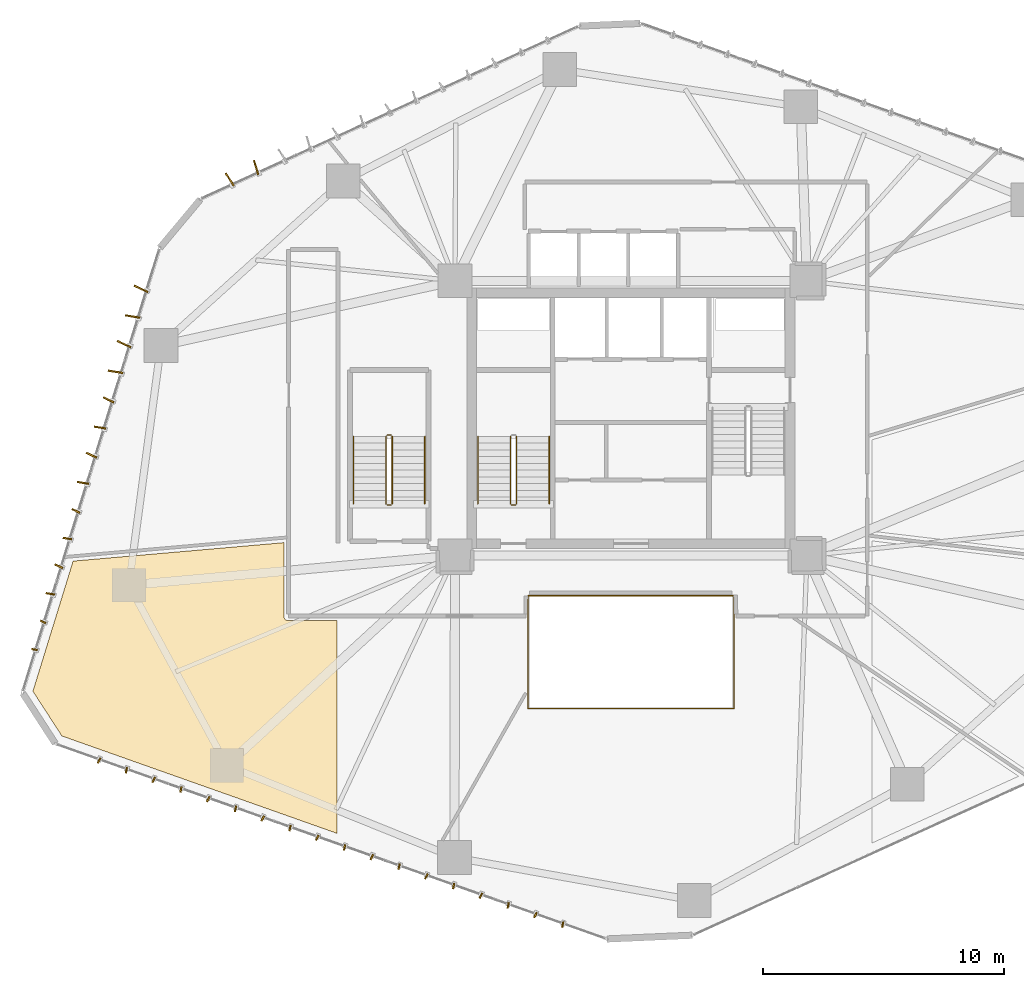
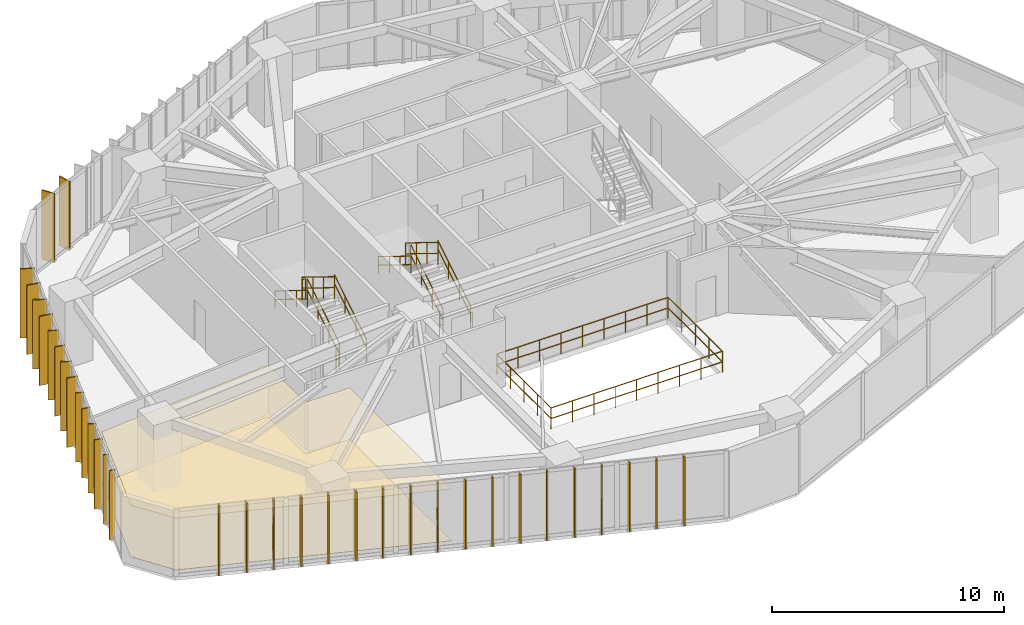
# One storey, part 22 of 24: 34 shading devices, 15 railings, 2 coverings.
"""IFC4 building model written with IfcOpenShell, lengths in metres."""

from ifc_helpers import new_model, si_unit, direction, frame, origin, origin_2d, place, context, subcontext, project, spatial, polyline, rectangle, circle, outline, extrude, source, transform, mapped, material, layer, layer_set, type_object, type_shapes, element, save


model = new_model("IFC4")

# Units and contexts
model_context = context("Model", 3, precision=1e-05, world=origin(), true_north=direction((0.0, 1.0)))
body_context = subcontext(model_context, "Body", "Model", "MODEL_VIEW")
ifc_project = project(units=[si_unit("LENGTHUNIT", "METRE"), si_unit("AREAUNIT", "SQUARE_METRE"), si_unit("VOLUMEUNIT", "CUBIC_METRE"), si_unit("PLANEANGLEUNIT", "RADIAN"), si_unit("MASSUNIT", "GRAM", prefix="KILO")], contexts=[model_context])

# Site, building, storey
site_placement = place(None, origin())
site = spatial("IfcSite", under=ifc_project, at=site_placement, CompositionType="ELEMENT")
building_placement = place(site_placement, origin())
building = spatial("IfcBuilding", under=site, at=building_placement, Name="Talar Marvaseh", CompositionType="ELEMENT")
storey_placement = place(building_placement, frame((0.0, 0.0, 31.60009765625)))
storey = spatial("IfcBuildingStorey", under=building, at=storey_placement, Name="L07", CompositionType="ELEMENT", Elevation=31.60009765625)

# Railings
ifc_material_1 = material(Name="Stainless Steel Grade 316", Category="steel")
railing_type_1 = type_object("IfcRailingType", Name="Brushed Stainless Wall Pitch Handrail 900", PredefinedType="HANDRAIL", material=ifc_material_1)
railing_1_placement = place(storey_placement, frame((22.610107421875, 27.64990234375, 0.172607421875)))
element("IfcRailing", 1, at=railing_1_placement, inside=storey, type_object=railing_type_1, Name="L07 ST-1 stair handrail 1", PredefinedType="HANDRAIL", context=body_context, shape_type="SweptSolid", body=[
    extrude(circle(Radius=0.02392578125, at=origin_2d()), frame((0.0, 0.0, 0.8759765625), z_axis=(0.0, 0.851089632645, 0.525020415988), x_axis=(-1.0, 0.0, 0.0)), (0.0, 0.0, 1.0), 3.2900390625),
    extrude(circle(Radius=0.02392578125, at=origin_2d()), frame((0.0, 0.0, 0.42578125), z_axis=(0.0, 0.851089632645, 0.525020415988), x_axis=(-1.0, 0.0, 0.0)), (0.0, 0.0, 1.0), 3.2900390625),
    extrude(circle(Radius=0.02099609375, at=origin_2d()), origin(), (0.0, 0.0, 1.0), 0.851806640625),
    extrude(circle(Radius=0.02099609375, at=origin_2d()), frame((0.0, 0.933349609375, 0.57568359375)), (0.0, 0.0, 1.0), 0.851806640625),
    extrude(circle(Radius=0.02099609375, at=origin_2d()), frame((0.0, 1.86669921875, 1.151611328125)), (0.0, 0.0, 1.0), 0.851806640625),
    extrude(circle(Radius=0.02099609375, at=origin_2d()), frame((0.0, 2.800048828125, 1.727294921875)), (0.0, 0.0, 1.0), 0.851806640625),
])
railing_2_placement = place(storey_placement, frame((19.64990234375, 30.449951171875, 2.072509765625)))
element("IfcRailing", 2, at=railing_2_placement, inside=storey, type_object=railing_type_1, Name="L07 ST-1 stair handrail 2", PredefinedType="HANDRAIL", context=body_context, shape_type="SweptSolid", body=[
    extrude(circle(Radius=0.02392578125, at=origin_2d()), frame((0.0, 0.0, 0.8759765625), z_axis=(0.0, -0.851089632645, 0.525020415988), x_axis=(1.0, 0.0, 0.0)), (0.0, 0.0, 1.0), 3.2900390625),
    extrude(circle(Radius=0.02392578125, at=origin_2d()), frame((0.0, 0.0, 0.42578125), z_axis=(0.0, -0.851089632645, 0.525020415988), x_axis=(1.0, 0.0, 0.0)), (0.0, 0.0, 1.0), 3.2900390625),
    extrude(circle(Radius=0.02099609375, at=origin_2d()), origin(), (0.0, 0.0, 1.0), 0.851806640625),
    extrude(circle(Radius=0.02099609375, at=origin_2d()), frame((0.0, -0.933349609375, 0.57568359375)), (0.0, 0.0, 1.0), 0.851806640625),
    extrude(circle(Radius=0.02099609375, at=origin_2d()), frame((0.0, -1.86669921875, 1.151611328125)), (0.0, 0.0, 1.0), 0.851806640625),
    extrude(circle(Radius=0.02099609375, at=origin_2d()), frame((0.0, -2.800048828125, 1.727294921875)), (0.0, 0.0, 1.0), 0.851806640625),
])
railing_3_placement = place(storey_placement, frame((17.449951171875, 27.64990234375, 0.172607421875)))
element("IfcRailing", 3, at=railing_3_placement, inside=storey, type_object=railing_type_1, Name="L07 ST-3 stair handrail 1", PredefinedType="HANDRAIL", context=body_context, shape_type="SweptSolid", body=[
    extrude(circle(Radius=0.02392578125, at=origin_2d()), frame((0.0, 0.0, 0.8759765625), z_axis=(0.0, 0.851089632645, 0.525020415988), x_axis=(-1.0, 0.0, 0.0)), (0.0, 0.0, 1.0), 3.2900390625),
    extrude(circle(Radius=0.02392578125, at=origin_2d()), frame((0.0, 0.0, 0.42578125), z_axis=(0.0, 0.851089632645, 0.525020415988), x_axis=(-1.0, 0.0, 0.0)), (0.0, 0.0, 1.0), 3.2900390625),
    extrude(circle(Radius=0.02099609375, at=origin_2d()), origin(), (0.0, 0.0, 1.0), 0.851806640625),
    extrude(circle(Radius=0.02099609375, at=origin_2d()), frame((0.0, 0.933349609375, 0.57568359375)), (0.0, 0.0, 1.0), 0.851806640625),
    extrude(circle(Radius=0.02099609375, at=origin_2d()), frame((0.0, 1.86669921875, 1.151611328125)), (0.0, 0.0, 1.0), 0.851806640625),
    extrude(circle(Radius=0.02099609375, at=origin_2d()), frame((0.0, 2.800048828125, 1.727294921875)), (0.0, 0.0, 1.0), 0.851806640625),
])
railing_4_placement = place(storey_placement, frame((14.489990234375, 30.449951171875, 2.072509765625)))
element("IfcRailing", 4, at=railing_4_placement, inside=storey, type_object=railing_type_1, Name="L07 ST-3 stair handrail 2", PredefinedType="HANDRAIL", context=body_context, shape_type="SweptSolid", body=[
    extrude(circle(Radius=0.02392578125, at=origin_2d()), frame((0.0, 0.0, 0.8759765625), z_axis=(0.0, -0.851089632645, 0.525020415988), x_axis=(1.0, 0.0, 0.0)), (0.0, 0.0, 1.0), 3.2900390625),
    extrude(circle(Radius=0.02392578125, at=origin_2d()), frame((0.0, 0.0, 0.42578125), z_axis=(0.0, -0.851089632645, 0.525020415988), x_axis=(1.0, 0.0, 0.0)), (0.0, 0.0, 1.0), 3.2900390625),
    extrude(circle(Radius=0.02099609375, at=origin_2d()), origin(), (0.0, 0.0, 1.0), 0.851806640625),
    extrude(circle(Radius=0.02099609375, at=origin_2d()), frame((0.0, -0.933349609375, 0.57568359375)), (0.0, 0.0, 1.0), 0.851806640625),
    extrude(circle(Radius=0.02099609375, at=origin_2d()), frame((0.0, -1.86669921875, 1.151611328125)), (0.0, 0.0, 1.0), 0.851806640625),
    extrude(circle(Radius=0.02099609375, at=origin_2d()), frame((0.0, -2.800048828125, 1.727294921875)), (0.0, 0.0, 1.0), 0.851806640625),
])
ifc_material_2 = material(Name="Tempered Clear Glass", Category="glass")
railing_type_2 = type_object("IfcRailingType", Name="Interior Atrium Edge Balustrade 1120", PredefinedType="BALUSTRADE", material=ifc_material_2)
railing_5_placement = place(storey_placement, frame((21.729736328125, 19.16162109375, 0.0)))
element("IfcRailing", 5, at=railing_5_placement, inside=storey, type_object=railing_type_2, Name="L07 Internal Daylight Atrium Balustrade 1", PredefinedType="BALUSTRADE", context=body_context, shape_type="SweptSolid", body=[
    extrude(circle(Radius=0.02392578125, at=origin_2d()), frame((0.0, 0.0, 1.09619140625), z_axis=(1.0, 0.0, 0.0), x_axis=(0.0, 1.0, 0.0)), (0.0, 0.0, 1.0), 8.54052734375),
    extrude(circle(Radius=0.02392578125, at=origin_2d()), frame((0.0, 0.0, 0.5361328125), z_axis=(1.0, 0.0, 0.0), x_axis=(0.0, 1.0, 0.0)), (0.0, 0.0, 1.0), 8.54052734375),
    extrude(circle(Radius=0.02099609375, at=origin_2d()), origin(), (0.0, 0.0, 1.0), 1.072021484375),
    extrude(circle(Radius=0.02099609375, at=origin_2d()), frame((1.067626953125, 0.0, 0.0)), (0.0, 0.0, 1.0), 1.072021484375),
    extrude(circle(Radius=0.02099609375, at=origin_2d()), frame((2.13525390625, 0.0, 0.0)), (0.0, 0.0, 1.0), 1.072021484375),
    extrude(circle(Radius=0.02099609375, at=origin_2d()), frame((3.20263671875, 0.0, 0.0)), (0.0, 0.0, 1.0), 1.072021484375),
    extrude(circle(Radius=0.02099609375, at=origin_2d()), frame((4.270263671875, 0.0, 0.0)), (0.0, 0.0, 1.0), 1.072021484375),
    extrude(circle(Radius=0.02099609375, at=origin_2d()), frame((5.337890625, 0.0, 0.0)), (0.0, 0.0, 1.0), 1.072021484375),
    extrude(circle(Radius=0.02099609375, at=origin_2d()), frame((6.4052734375, 0.0, 0.0)), (0.0, 0.0, 1.0), 1.072021484375),
    extrude(circle(Radius=0.02099609375, at=origin_2d()), frame((7.472900390625, 0.0, 0.0)), (0.0, 0.0, 1.0), 1.072021484375),
    extrude(circle(Radius=0.02099609375, at=origin_2d()), frame((8.54052734375, 0.0, 0.0)), (0.0, 0.0, 1.0), 1.072021484375),
])
railing_6_placement = place(storey_placement, frame((30.270263671875, 19.16162109375, 0.0)))
element("IfcRailing", 6, at=railing_6_placement, inside=storey, type_object=railing_type_2, Name="L07 Internal Daylight Atrium Balustrade 2", PredefinedType="BALUSTRADE", context=body_context, shape_type="SweptSolid", body=[
    extrude(circle(Radius=0.02392578125, at=origin_2d()), frame((0.0, 0.0, 1.09619140625), z_axis=(0.0, 1.0, 0.0), x_axis=(-1.0, 0.0, 0.0)), (0.0, 0.0, 1.0), 4.6767578125),
    extrude(circle(Radius=0.02392578125, at=origin_2d()), frame((0.0, 0.0, 0.5361328125), z_axis=(0.0, 1.0, 0.0), x_axis=(-1.0, 0.0, 0.0)), (0.0, 0.0, 1.0), 4.6767578125),
    extrude(circle(Radius=0.02099609375, at=origin_2d()), origin(), (0.0, 0.0, 1.0), 1.072021484375),
    extrude(circle(Radius=0.02099609375, at=origin_2d()), frame((0.0, 1.169189453125, 0.0)), (0.0, 0.0, 1.0), 1.072021484375),
    extrude(circle(Radius=0.02099609375, at=origin_2d()), frame((0.0, 2.33837890625, 0.0)), (0.0, 0.0, 1.0), 1.072021484375),
    extrude(circle(Radius=0.02099609375, at=origin_2d()), frame((0.0, 3.507568359375, 0.0)), (0.0, 0.0, 1.0), 1.072021484375),
    extrude(circle(Radius=0.02099609375, at=origin_2d()), frame((0.0, 4.6767578125, 0.0)), (0.0, 0.0, 1.0), 1.072021484375),
])
railing_7_placement = place(storey_placement, frame((30.270263671875, 23.83837890625, 0.0)))
element("IfcRailing", 7, at=railing_7_placement, inside=storey, type_object=railing_type_2, Name="L07 Internal Daylight Atrium Balustrade 3", PredefinedType="BALUSTRADE", context=body_context, shape_type="SweptSolid", body=[
    extrude(circle(Radius=0.02392578125, at=origin_2d()), frame((0.0, 0.0, 1.09619140625), z_axis=(-1.0, 0.0, 0.0), x_axis=(0.0, -1.0, 0.0)), (0.0, 0.0, 1.0), 8.54052734375),
    extrude(circle(Radius=0.02392578125, at=origin_2d()), frame((0.0, 0.0, 0.5361328125), z_axis=(-1.0, 0.0, 0.0), x_axis=(0.0, -1.0, 0.0)), (0.0, 0.0, 1.0), 8.54052734375),
    extrude(circle(Radius=0.02099609375, at=origin_2d()), origin(), (0.0, 0.0, 1.0), 1.072021484375),
    extrude(circle(Radius=0.02099609375, at=origin_2d()), frame((-1.067626953125, 0.0, 0.0)), (0.0, 0.0, 1.0), 1.072021484375),
    extrude(circle(Radius=0.02099609375, at=origin_2d()), frame((-2.13525390625, 0.0, 0.0)), (0.0, 0.0, 1.0), 1.072021484375),
    extrude(circle(Radius=0.02099609375, at=origin_2d()), frame((-3.20263671875, 0.0, 0.0)), (0.0, 0.0, 1.0), 1.072021484375),
    extrude(circle(Radius=0.02099609375, at=origin_2d()), frame((-4.270263671875, 0.0, 0.0)), (0.0, 0.0, 1.0), 1.072021484375),
    extrude(circle(Radius=0.02099609375, at=origin_2d()), frame((-5.337890625, 0.0, 0.0)), (0.0, 0.0, 1.0), 1.072021484375),
    extrude(circle(Radius=0.02099609375, at=origin_2d()), frame((-6.4052734375, 0.0, 0.0)), (0.0, 0.0, 1.0), 1.072021484375),
    extrude(circle(Radius=0.02099609375, at=origin_2d()), frame((-7.472900390625, 0.0, 0.0)), (0.0, 0.0, 1.0), 1.072021484375),
    extrude(circle(Radius=0.02099609375, at=origin_2d()), frame((-8.54052734375, 0.0, 0.0)), (0.0, 0.0, 1.0), 1.072021484375),
])
railing_8_placement = place(storey_placement, frame((21.729736328125, 23.83837890625, 0.0)))
element("IfcRailing", 8, at=railing_8_placement, inside=storey, type_object=railing_type_2, Name="L07 Internal Daylight Atrium Balustrade 4", PredefinedType="BALUSTRADE", context=body_context, shape_type="SweptSolid", body=[
    extrude(circle(Radius=0.02392578125, at=origin_2d()), frame((0.0, 0.0, 1.09619140625), z_axis=(0.0, -1.0, 0.0), x_axis=(1.0, 0.0, 0.0)), (0.0, 0.0, 1.0), 4.6767578125),
    extrude(circle(Radius=0.02392578125, at=origin_2d()), frame((0.0, 0.0, 0.5361328125), z_axis=(0.0, -1.0, 0.0), x_axis=(1.0, 0.0, 0.0)), (0.0, 0.0, 1.0), 4.6767578125),
    extrude(circle(Radius=0.02099609375, at=origin_2d()), origin(), (0.0, 0.0, 1.0), 1.072021484375),
    extrude(circle(Radius=0.02099609375, at=origin_2d()), frame((0.0, -1.169189453125, 0.0)), (0.0, 0.0, 1.0), 1.072021484375),
    extrude(circle(Radius=0.02099609375, at=origin_2d()), frame((0.0, -2.33837890625, 0.0)), (0.0, 0.0, 1.0), 1.072021484375),
    extrude(circle(Radius=0.02099609375, at=origin_2d()), frame((0.0, -3.507568359375, 0.0)), (0.0, 0.0, 1.0), 1.072021484375),
    extrude(circle(Radius=0.02099609375, at=origin_2d()), frame((0.0, -4.6767578125, 0.0)), (0.0, 0.0, 1.0), 1.072021484375),
])
railing_type_3 = type_object("IfcRailingType", Name="Painted Steel Core Stair Well Guardrail 1150", PredefinedType="GUARDRAIL", material=ifc_material_1)
railing_9_placement = place(storey_placement, frame((21.260009765625, 27.64990234375, 0.172607421875)))
element("IfcRailing", 9, at=railing_9_placement, inside=storey, type_object=railing_type_3, Name="L07 ST-1 stair guard 1", PredefinedType="GUARDRAIL", context=body_context, shape_type="SweptSolid", body=[
    extrude(circle(Radius=0.02392578125, at=origin_2d()), frame((0.0, 0.0, 1.1259765625), z_axis=(0.0, 0.851089632645, 0.525020415988), x_axis=(-1.0, 0.0, 0.0)), (0.0, 0.0, 1.0), 3.2900390625),
    extrude(circle(Radius=0.02392578125, at=origin_2d()), frame((0.0, 0.0, 0.55078125), z_axis=(0.0, 0.851089632645, 0.525020415988), x_axis=(-1.0, 0.0, 0.0)), (0.0, 0.0, 1.0), 3.2900390625),
    extrude(circle(Radius=0.02099609375, at=origin_2d()), origin(), (0.0, 0.0, 1.0), 1.101806640625),
    extrude(circle(Radius=0.02099609375, at=origin_2d()), frame((0.0, 0.933349609375, 0.57568359375)), (0.0, 0.0, 1.0), 1.101806640625),
    extrude(circle(Radius=0.02099609375, at=origin_2d()), frame((0.0, 1.86669921875, 1.151611328125)), (0.0, 0.0, 1.0), 1.101806640625),
    extrude(circle(Radius=0.02099609375, at=origin_2d()), frame((0.0, 2.800048828125, 1.727294921875)), (0.0, 0.0, 1.0), 1.101806640625),
])
railing_10_placement = place(storey_placement, frame((21.0, 30.449951171875, 2.072509765625)))
element("IfcRailing", 10, at=railing_10_placement, inside=storey, type_object=railing_type_3, Name="L07 ST-1 stair guard 3", PredefinedType="GUARDRAIL", context=body_context, shape_type="SweptSolid", body=[
    extrude(circle(Radius=0.02392578125, at=origin_2d()), frame((0.0, 0.0, 1.1259765625), z_axis=(0.0, -0.851089632645, 0.525020415988), x_axis=(1.0, 0.0, 0.0)), (0.0, 0.0, 1.0), 3.2900390625),
    extrude(circle(Radius=0.02392578125, at=origin_2d()), frame((0.0, 0.0, 0.55078125), z_axis=(0.0, -0.851089632645, 0.525020415988), x_axis=(1.0, 0.0, 0.0)), (0.0, 0.0, 1.0), 3.2900390625),
    extrude(circle(Radius=0.02099609375, at=origin_2d()), origin(), (0.0, 0.0, 1.0), 1.101806640625),
    extrude(circle(Radius=0.02099609375, at=origin_2d()), frame((0.0, -0.933349609375, 0.57568359375)), (0.0, 0.0, 1.0), 1.101806640625),
    extrude(circle(Radius=0.02099609375, at=origin_2d()), frame((0.0, -1.86669921875, 1.151611328125)), (0.0, 0.0, 1.0), 1.101806640625),
    extrude(circle(Radius=0.02099609375, at=origin_2d()), frame((0.0, -2.800048828125, 1.727294921875)), (0.0, 0.0, 1.0), 1.101806640625),
])
railing_11_placement = place(storey_placement, frame((21.2099609375, 27.60009765625, 0.0)))
element("IfcRailing", 11, at=railing_11_placement, inside=storey, type_object=railing_type_3, Name="L07 ST-1 stair guard 4", PredefinedType="GUARDRAIL", context=body_context, shape_type="SweptSolid", body=[
    extrude(circle(Radius=0.02392578125, at=origin_2d()), frame((0.0, 0.0, 1.1259765625), z_axis=(-1.0, 0.0, 0.0), x_axis=(0.0, -1.0, 0.0)), (0.0, 0.0, 1.0), 0.159912109375),
    extrude(circle(Radius=0.02392578125, at=origin_2d()), frame((0.0, 0.0, 0.55078125), z_axis=(-1.0, 0.0, 0.0), x_axis=(0.0, -1.0, 0.0)), (0.0, 0.0, 1.0), 0.159912109375),
    extrude(circle(Radius=0.02099609375, at=origin_2d()), origin(), (0.0, 0.0, 1.0), 1.101806640625),
    extrude(circle(Radius=0.02099609375, at=origin_2d()), frame((-0.159912109375, 0.0, 0.0)), (0.0, 0.0, 1.0), 1.101806640625),
])
railing_12_placement = place(storey_placement, frame((16.10009765625, 27.64990234375, 0.172607421875)))
element("IfcRailing", 12, at=railing_12_placement, inside=storey, type_object=railing_type_3, Name="L07 ST-3 stair guard 1", PredefinedType="GUARDRAIL", context=body_context, shape_type="SweptSolid", body=[
    extrude(circle(Radius=0.02392578125, at=origin_2d()), frame((0.0, 0.0, 1.1259765625), z_axis=(0.0, 0.851089632645, 0.525020415988), x_axis=(-1.0, 0.0, 0.0)), (0.0, 0.0, 1.0), 3.2900390625),
    extrude(circle(Radius=0.02392578125, at=origin_2d()), frame((0.0, 0.0, 0.55078125), z_axis=(0.0, 0.851089632645, 0.525020415988), x_axis=(-1.0, 0.0, 0.0)), (0.0, 0.0, 1.0), 3.2900390625),
    extrude(circle(Radius=0.02099609375, at=origin_2d()), origin(), (0.0, 0.0, 1.0), 1.101806640625),
    extrude(circle(Radius=0.02099609375, at=origin_2d()), frame((0.0, 0.933349609375, 0.57568359375)), (0.0, 0.0, 1.0), 1.101806640625),
    extrude(circle(Radius=0.02099609375, at=origin_2d()), frame((0.0, 1.86669921875, 1.151611328125)), (0.0, 0.0, 1.0), 1.101806640625),
    extrude(circle(Radius=0.02099609375, at=origin_2d()), frame((0.0, 2.800048828125, 1.727294921875)), (0.0, 0.0, 1.0), 1.101806640625),
])
railing_13_placement = place(storey_placement, frame((16.050048828125, 30.5, 1.89990234375)))
element("IfcRailing", 13, at=railing_13_placement, inside=storey, type_object=railing_type_3, Name="L07 ST-3 stair guard 2", PredefinedType="GUARDRAIL", context=body_context, shape_type="SweptSolid", body=[
    extrude(circle(Radius=0.02392578125, at=origin_2d()), frame((0.0, 0.0, 1.1259765625), z_axis=(-1.0, 0.0, 0.0), x_axis=(0.0, -1.0, 0.0)), (0.0, 0.0, 1.0), 0.16015625),
    extrude(circle(Radius=0.02392578125, at=origin_2d()), frame((0.0, 0.0, 0.55078125), z_axis=(-1.0, 0.0, 0.0), x_axis=(0.0, -1.0, 0.0)), (0.0, 0.0, 1.0), 0.16015625),
    extrude(circle(Radius=0.02099609375, at=origin_2d()), origin(), (0.0, 0.0, 1.0), 1.101806640625),
    extrude(circle(Radius=0.02099609375, at=origin_2d()), frame((-0.16015625, 0.0, 0.0)), (0.0, 0.0, 1.0), 1.101806640625),
])
railing_14_placement = place(storey_placement, frame((15.840087890625, 30.449951171875, 2.072509765625)))
element("IfcRailing", 14, at=railing_14_placement, inside=storey, type_object=railing_type_3, Name="L07 ST-3 stair guard 3", PredefinedType="GUARDRAIL", context=body_context, shape_type="SweptSolid", body=[
    extrude(circle(Radius=0.02392578125, at=origin_2d()), frame((0.0, 0.0, 1.1259765625), z_axis=(0.0, -0.851089632645, 0.525020415988), x_axis=(1.0, 0.0, 0.0)), (0.0, 0.0, 1.0), 3.2900390625),
    extrude(circle(Radius=0.02392578125, at=origin_2d()), frame((0.0, 0.0, 0.55078125), z_axis=(0.0, -0.851089632645, 0.525020415988), x_axis=(1.0, 0.0, 0.0)), (0.0, 0.0, 1.0), 3.2900390625),
    extrude(circle(Radius=0.02099609375, at=origin_2d()), origin(), (0.0, 0.0, 1.0), 1.101806640625),
    extrude(circle(Radius=0.02099609375, at=origin_2d()), frame((0.0, -0.933349609375, 0.57568359375)), (0.0, 0.0, 1.0), 1.101806640625),
    extrude(circle(Radius=0.02099609375, at=origin_2d()), frame((0.0, -1.86669921875, 1.151611328125)), (0.0, 0.0, 1.0), 1.101806640625),
    extrude(circle(Radius=0.02099609375, at=origin_2d()), frame((0.0, -2.800048828125, 1.727294921875)), (0.0, 0.0, 1.0), 1.101806640625),
])
railing_15_placement = place(storey_placement, frame((16.050048828125, 27.60009765625, 0.0)))
element("IfcRailing", 15, at=railing_15_placement, inside=storey, type_object=railing_type_3, Name="L07 ST-3 stair guard 4", PredefinedType="GUARDRAIL", context=body_context, shape_type="SweptSolid", body=[
    extrude(circle(Radius=0.02392578125, at=origin_2d()), frame((0.0, 0.0, 1.1259765625), z_axis=(-1.0, 0.0, 0.0), x_axis=(0.0, -1.0, 0.0)), (0.0, 0.0, 1.0), 0.16015625),
    extrude(circle(Radius=0.02392578125, at=origin_2d()), frame((0.0, 0.0, 0.55078125), z_axis=(-1.0, 0.0, 0.0), x_axis=(0.0, -1.0, 0.0)), (0.0, 0.0, 1.0), 0.16015625),
    extrude(circle(Radius=0.02099609375, at=origin_2d()), origin(), (0.0, 0.0, 1.0), 1.101806640625),
    extrude(circle(Radius=0.02099609375, at=origin_2d()), frame((-0.16015625, 0.0, 0.0)), (0.0, 0.0, 1.0), 1.101806640625),
])

# Coverings
ifc_material_3 = material(Name="Mineral Fibre Acoustic Ceiling")
ifc_layer_1 = layer(ifc_material_3, 0.02490234375)
ifc_layer_set_1 = layer_set([ifc_layer_1], Name="Mineral Fibre Acoustic Ceiling")
covering_type_1 = type_object("IfcCoveringType", Name="Perforated Mineral Fibre Acoustic Suspended Ceiling", PredefinedType="CEILING", material=ifc_layer_set_1)
covering_1_placement = place(storey_placement, frame((0.0, 0.0, 2.719970703125)))
element("IfcCovering", 16, at=covering_1_placement, inside=storey, type_object=covering_type_1, Name="L07 Exhibition Gallery Acoustic Ceiling", PredefinedType="CEILING", context=body_context, shape_type="SweptSolid", body=[
    extrude(outline(polyline([(1.192626953125, 19.873779296875), (2.859619140625, 25.274658203125), (11.60009765625, 26.039306640625), (11.60009765625, 23.0), (11.60107421875, 22.98046875), (11.603759765625, 22.9609375), (11.608642578125, 22.94189453125), (11.615234375, 22.923583984375), (11.62353515625, 22.90576171875), (11.6337890625, 22.888916015625), (11.6455078125, 22.873046875), (11.65869140625, 22.858642578125), (11.673095703125, 22.845458984375), (11.68896484375, 22.833740234375), (11.705810546875, 22.823486328125), (11.723388671875, 22.815185546875), (11.741943359375, 22.80859375), (11.760986328125, 22.8037109375), (11.780517578125, 22.801025390625), (11.800048828125, 22.800048828125), (13.800048828125, 22.800048828125), (13.800048828125, 13.98193359375), (2.393798828125, 18.019287109375), (1.192626953125, 19.873779296875)])), origin(), (0.0, 0.0, 1.0), 0.02490234375),
])
ifc_material_4 = material(Name="Porcelain Stoneware Tile", Category="masonry")
ifc_layer_2 = layer(ifc_material_4, 0.02001953125)
ifc_layer_set_2 = layer_set([ifc_layer_2], Name="Porcelain Stoneware Tile")
covering_type_2 = type_object("IfcCoveringType", Name="Polished Porcelain Stoneware Gallery Flooring", PredefinedType="FLOORING", material=ifc_layer_set_2)
covering_2_placement = place(storey_placement, origin())
element("IfcCovering", 17, at=covering_2_placement, inside=storey, type_object=covering_type_2, Name="L07 Exhibition Gallery Flooring", PredefinedType="FLOORING", context=body_context, shape_type="SweptSolid", body=[
    extrude(outline(polyline([(1.192626953125, 19.873779296875), (2.859619140625, 25.274658203125), (11.60009765625, 26.039306640625), (11.60009765625, 23.0), (11.60107421875, 22.98046875), (11.603759765625, 22.9609375), (11.608642578125, 22.94189453125), (11.615234375, 22.923583984375), (11.62353515625, 22.90576171875), (11.6337890625, 22.888916015625), (11.6455078125, 22.873046875), (11.65869140625, 22.858642578125), (11.673095703125, 22.845458984375), (11.68896484375, 22.833740234375), (11.705810546875, 22.823486328125), (11.723388671875, 22.815185546875), (11.741943359375, 22.80859375), (11.760986328125, 22.8037109375), (11.780517578125, 22.801025390625), (11.800048828125, 22.800048828125), (13.800048828125, 22.800048828125), (13.800048828125, 13.98193359375), (2.393798828125, 18.019287109375), (1.192626953125, 19.873779296875)])), origin(), (0.0, 0.0, 1.0), 0.02001953125),
])

# Shading devices
ifc_material_5 = material(Name="Anodised Champagne Bronze Aluminium", Category="aluminium")
ifc_layer_3 = layer(ifc_material_5, 0.06494140625)
ifc_layer_set_3 = layer_set([ifc_layer_3], Name="Anodised Champagne Bronze Aluminium")
shading_device_type_1 = type_object("IfcShadingDeviceType", Name="Sawtooth Champagne Bronze Vertical Fin 240", PredefinedType="USERDEFINED", material=ifc_layer_set_3)
shared_shape_1 = source(origin(), body_context, "Body", "SweptSolid", [
    extrude(rectangle(XDim=0.239990234375, YDim=0.06494140625, at=origin_2d()), origin(), (0.0, 0.0, 1.0), 3.639892578125),
])
type_shapes(shading_device_type_1, [shared_shape_1])
for number, where, z_axis, x_axis, name in (
    (18, (1.26123046875, 21.60498046875, -0.1201171875), (0.0, 0.0, 1.0), (-0.987275411839, 0.159019688023, 0.0), "L07 Sawtooth Vertical Solar Fin"),
    (19, (1.615234375, 22.751708984375, -0.1201171875), (0.0, 0.0, 1.0), (-0.905198270413, 0.424989518979, 0.0), "L07 Sawtooth Vertical Solar Fin"),
    (20, (23.1708984375, 10.193115234375, -0.1201171875), (0.0, 0.0, 1.0), (-0.199196902256, -0.979959485964, 0.0), "L07 Sawtooth Vertical Solar Fin"),
    (21, (22.03955078125, 10.593505859375, -0.1201171875), (0.0, 0.0, 1.0), (-0.461593793608, -0.887091410004, 0.0), "L07 Sawtooth Vertical Solar Fin"),
    (22, (20.908203125, 10.993896484375, -0.1201171875), (0.0, 0.0, 1.0), (-0.199196902256, -0.979959485964, 0.0), "L07 Sawtooth Vertical Solar Fin"),
    (23, (19.777099609375, 11.394287109375, -0.1201171875), (0.0, 0.0, 1.0), (-0.461593793608, -0.887091410004, 0.0), "L07 Sawtooth Vertical Solar Fin"),
    (24, (18.64599609375, 11.794921875, -0.1201171875), (0.0, 0.0, 1.0), (-0.199196902256, -0.979959485964, 0.0), "L07 Sawtooth Vertical Solar Fin"),
    (25, (17.5146484375, 12.1953125, -0.1201171875), (0.0, 0.0, 1.0), (-0.461593793608, -0.887091410004, 0.0), "L07 Sawtooth Vertical Solar Fin"),
    (26, (16.38330078125, 12.595703125, -0.1201171875), (0.0, 0.0, 1.0), (-0.199196902256, -0.979959485964, 0.0), "L07 Sawtooth Vertical Solar Fin"),
    (27, (15.252197265625, 12.99609375, -0.1201171875), (0.0, 0.0, 1.0), (-0.461593793608, -0.887091410004, 0.0), "L07 Sawtooth Vertical Solar Fin"),
    (28, (14.120849609375, 13.396484375, -0.1201171875), (0.0, 0.0, 1.0), (-0.199196902256, -0.979959485964, 0.0), "L07 Sawtooth Vertical Solar Fin"),
    (29, (12.98974609375, 13.796875, -0.1201171875), (0.0, 0.0, 1.0), (-0.461593793608, -0.887091410004, 0.0), "L07 Sawtooth Vertical Solar Fin"),
    (30, (11.8583984375, 14.197265625, -0.1201171875), (0.0, 0.0, 1.0), (-0.199196902256, -0.979959485964, 0.0), "L07 Sawtooth Vertical Solar Fin"),
    (31, (10.727294921875, 14.59765625, -0.1201171875), (0.0, 0.0, 1.0), (-0.461593793608, -0.887091410004, 0.0), "L07 Sawtooth Vertical Solar Fin"),
    (32, (9.595947265625, 14.997802734375, -0.1201171875), (0.0, 0.0, 1.0), (-0.199196902256, -0.979959485964, 0.0), "L07 Sawtooth Vertical Solar Fin"),
    (33, (8.46484375, 15.398193359375, -0.1201171875), (0.0, 0.0, 1.0), (-0.461593793608, -0.887091410004, 0.0), "L07 Sawtooth Vertical Solar Fin"),
    (34, (7.33349609375, 15.798583984375, -0.1201171875), (0.0, 0.0, 1.0), (-0.199196902256, -0.979959485964, 0.0), "L07 Sawtooth Vertical Solar Fin"),
    (35, (6.202392578125, 16.19921875, -0.1201171875), (0.0, 0.0, 1.0), (-0.461593793608, -0.887091410004, 0.0), "L07 Sawtooth Vertical Solar Fin"),
    (36, (5.071044921875, 16.599609375, -0.1201171875), (0.0, 0.0, 1.0), (-0.199196902256, -0.979959485964, 0.0), "L07 Sawtooth Vertical Solar Fin"),
    (37, (3.939697265625, 17.0, -0.1201171875), (0.0, 0.0, 1.0), (-0.461593793608, -0.887091410004, 0.0), "L07 Sawtooth Vertical Solar Fin"),
):
    element("IfcShadingDevice", number, at=place(storey_placement, frame(where, z_axis=z_axis, x_axis=x_axis)), inside=storey, type_object=shading_device_type_1, Name=name, ObjectType="FIN", PredefinedType="USERDEFINED", context=body_context, shape_type="MappedRepresentation", body=[
        mapped(shared_shape_1, transform((0.0, 0.0, 0.0), x_axis=(1.0, 0.0, 0.0), y_axis=(0.0, 1.0, 0.0), z_axis=(0.0, 0.0, 1.0), scale=1.0)),
    ])
ifc_layer_4 = layer(ifc_material_5, 0.06494140625)
ifc_layer_set_4 = layer_set([ifc_layer_4], Name="Anodised Champagne Bronze Aluminium")
shading_device_type_2 = type_object("IfcShadingDeviceType", Name="Sawtooth Champagne Bronze Vertical Fin 360", PredefinedType="USERDEFINED", material=ifc_layer_set_4)
shared_shape_2 = source(origin(), body_context, "Body", "SweptSolid", [
    extrude(rectangle(XDim=0.360107421875, YDim=0.06494140625, at=origin_2d()), origin(), (0.0, 0.0, 1.0), 3.639892578125),
])
type_shapes(shading_device_type_2, [shared_shape_2])
for number, where, z_axis, x_axis, name in (
    (38, (1.911865234375, 23.916015625, -0.1201171875), (0.0, 0.0, 1.0), (-0.987275411839, 0.159019688023, 0.0), "L07 Sawtooth Vertical Solar Fin"),
    (39, (2.265625, 25.0625, -0.1201171875), (0.0, 0.0, 1.0), (-0.905198270413, 0.424989518979, 0.0), "L07 Sawtooth Vertical Solar Fin"),
    (40, (2.61962890625, 26.209228515625, -0.1201171875), (0.0, 0.0, 1.0), (-0.987275411839, 0.159019688023, 0.0), "L07 Sawtooth Vertical Solar Fin"),
    (41, (2.9736328125, 27.355712890625, -0.1201171875), (0.0, 0.0, 1.0), (-0.905198270413, 0.424989518979, 0.0), "L07 Sawtooth Vertical Solar Fin"),
):
    element("IfcShadingDevice", number, at=place(storey_placement, frame(where, z_axis=z_axis, x_axis=x_axis)), inside=storey, type_object=shading_device_type_2, Name=name, ObjectType="FIN", PredefinedType="USERDEFINED", context=body_context, shape_type="MappedRepresentation", body=[
        mapped(shared_shape_2, transform((0.0, 0.0, 0.0), x_axis=(1.0, 0.0, 0.0), y_axis=(0.0, 1.0, 0.0), z_axis=(0.0, 0.0, 1.0), scale=1.0)),
    ])
ifc_layer_5 = layer(ifc_material_5, 0.06494140625)
ifc_layer_set_5 = layer_set([ifc_layer_5], Name="Anodised Champagne Bronze Aluminium")
shading_device_type_3 = type_object("IfcShadingDeviceType", Name="Sawtooth Champagne Bronze Vertical Fin 480", PredefinedType="USERDEFINED", material=ifc_layer_set_5)
shared_shape_3 = source(origin(), body_context, "Body", "SweptSolid", [
    extrude(rectangle(XDim=0.47998046875, YDim=0.06494140625, at=origin_2d()), origin(), (0.0, 0.0, 1.0), 3.639892578125),
])
type_shapes(shading_device_type_3, [shared_shape_3])
for number, where, z_axis, x_axis, name in (
    (42, (3.27001953125, 28.520263671875, -0.1201171875), (0.0, 0.0, 1.0), (-0.987275411839, 0.159019688023, 0.0), "L07 Sawtooth Vertical Solar Fin"),
    (43, (3.6240234375, 29.666748046875, -0.1201171875), (0.0, 0.0, 1.0), (-0.905198270413, 0.424989518979, 0.0), "L07 Sawtooth Vertical Solar Fin"),
    (44, (3.97802734375, 30.8134765625, -0.1201171875), (0.0, 0.0, 1.0), (-0.987275411839, 0.159019688023, 0.0), "L07 Sawtooth Vertical Solar Fin"),
    (45, (4.331787109375, 31.9599609375, -0.1201171875), (0.0, 0.0, 1.0), (-0.905198270413, 0.424989518979, 0.0), "L07 Sawtooth Vertical Solar Fin"),
):
    element("IfcShadingDevice", number, at=place(storey_placement, frame(where, z_axis=z_axis, x_axis=x_axis)), inside=storey, type_object=shading_device_type_3, Name=name, ObjectType="FIN", PredefinedType="USERDEFINED", context=body_context, shape_type="MappedRepresentation", body=[
        mapped(shared_shape_3, transform((0.0, 0.0, 0.0), x_axis=(1.0, 0.0, 0.0), y_axis=(0.0, 1.0, 0.0), z_axis=(0.0, 0.0, 1.0), scale=1.0)),
    ])
ifc_layer_6 = layer(ifc_material_5, 0.06494140625)
ifc_layer_set_6 = layer_set([ifc_layer_6], Name="Anodised Champagne Bronze Aluminium")
shading_device_type_4 = type_object("IfcShadingDeviceType", Name="Sawtooth Champagne Bronze Vertical Fin 620", PredefinedType="USERDEFINED", material=ifc_layer_set_6)
shared_shape_4 = source(origin(), body_context, "Body", "SweptSolid", [
    extrude(rectangle(XDim=0.6201171875, YDim=0.06494140625, at=origin_2d()), origin(), (0.0, 0.0, 1.0), 3.639892578125),
])
type_shapes(shading_device_type_4, [shared_shape_4])
for number, where, z_axis, x_axis, name in (
    (46, (4.618896484375, 33.127197265625, -0.1201171875), (0.0, 0.0, 1.0), (-0.987275411839, 0.159019688023, 0.0), "L07 Sawtooth Vertical Solar Fin"),
    (47, (4.972900390625, 34.27392578125, -0.1201171875), (0.0, 0.0, 1.0), (-0.905198270413, 0.424989518979, 0.0), "L07 Sawtooth Vertical Solar Fin"),
    (48, (5.326904296875, 35.42041015625, -0.1201171875), (0.0, 0.0, 1.0), (-0.987275411839, 0.159019688023, 0.0), "L07 Sawtooth Vertical Solar Fin"),
    (49, (5.6806640625, 36.567138671875, -0.1201171875), (0.0, 0.0, 1.0), (-0.905198270413, 0.424989518979, 0.0), "L07 Sawtooth Vertical Solar Fin"),
    (50, (9.357421875, 41.10546875, -0.1201171875), (0.0, 0.0, 1.0), (-0.53832960413, 0.842734381236, 0.0), "L07 Sawtooth Vertical Solar Fin"),
    (51, (10.44873046875, 41.604248046875, -0.1201171875), (0.0, 0.0, 1.0), (-0.28518655174, 0.958472029173, 0.0), "L07 Sawtooth Vertical Solar Fin"),
):
    element("IfcShadingDevice", number, at=place(storey_placement, frame(where, z_axis=z_axis, x_axis=x_axis)), inside=storey, type_object=shading_device_type_4, Name=name, ObjectType="FIN", PredefinedType="USERDEFINED", context=body_context, shape_type="MappedRepresentation", body=[
        mapped(shared_shape_4, transform((0.0, 0.0, 0.0), x_axis=(1.0, 0.0, 0.0), y_axis=(0.0, 1.0, 0.0), z_axis=(0.0, 0.0, 1.0), scale=1.0)),
    ])

save(model, "model.ifc")
